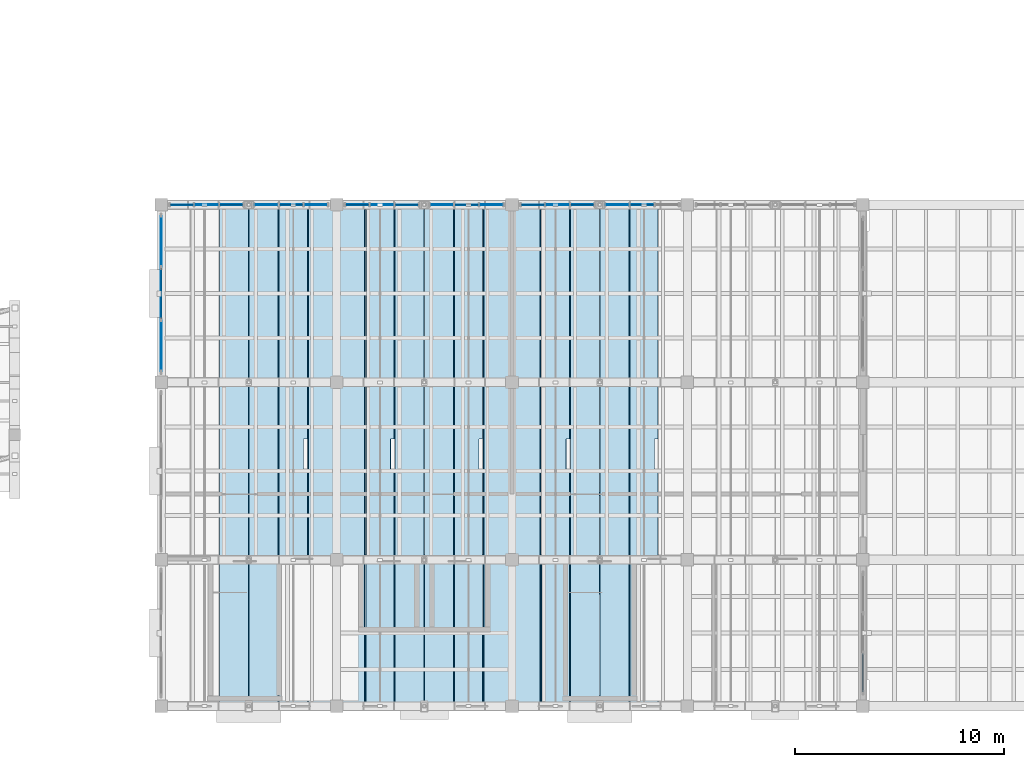
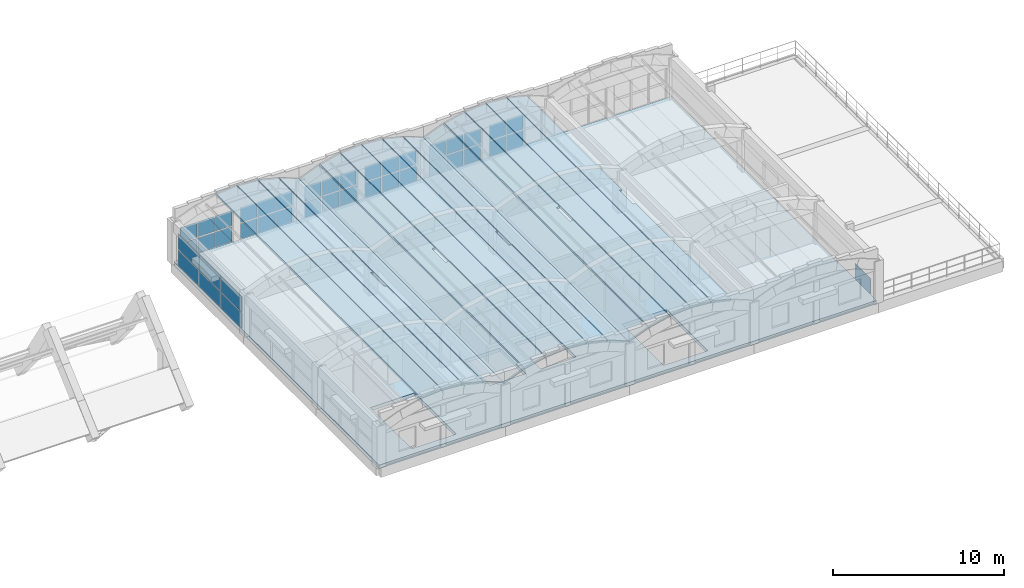
# One storey, part 21 of 40: 41 plates, 16 slabs, 8 elements without a shape of their own.
"""IFC4 building model written with IfcOpenShell, lengths in metres."""

from ifc_helpers import new_model, si_unit, direction, frame, origin, origin_2d, place, context, subcontext, project, spatial, polyline, rectangle, outline, extrude, material, layer, layer_set, type_object, element, aggregate, save


model = new_model("IFC4")

# Units and contexts
model_context = context("Model", 3, precision=1e-05, world=origin(), true_north=direction((0.0, 1.0)))
body_context = subcontext(model_context, "Body", "Model", "MODEL_VIEW")
ifc_project = project(units=[si_unit("LENGTHUNIT", "METRE"), si_unit("AREAUNIT", "SQUARE_METRE"), si_unit("VOLUMEUNIT", "CUBIC_METRE"), si_unit("PLANEANGLEUNIT", "RADIAN"), si_unit("MASSUNIT", "GRAM", prefix="KILO")], contexts=[model_context])

# Site, building, storey
site_placement = place(None, origin())
site = spatial("IfcSite", under=ifc_project, at=site_placement, CompositionType="ELEMENT")
building_placement = place(site_placement, origin())
building = spatial("IfcBuilding", under=site, at=building_placement, Name="Trellovar Central Fire Station", CompositionType="ELEMENT")
storey_placement = place(building_placement, frame((0.0, 0.0, 12.75)))
storey = spatial("IfcBuildingStorey", under=building, at=storey_placement, Name="L04", CompositionType="ELEMENT", Elevation=12.75)

# Curtain wall, plate
ifc_material_1 = material(Name="Thermally broken bronze anodized aluminum", Category="aluminium")
ifc_layer_1 = layer(ifc_material_1, 0.159912109375)
ifc_layer_set_1 = layer_set([ifc_layer_1], Name="Thermally broken bronze anodized aluminum")
curtain_wall_type_1 = type_object("IfcCurtainWallType", Name="CW-09", PredefinedType="NOTDEFINED", material=ifc_layer_set_1)
curtain_wall_1_placement = place(storey_placement, origin())
curtain_wall_1 = element("IfcCurtainWall", 1, at=curtain_wall_1_placement, inside=storey, type_object=curtain_wall_type_1, Name="L04 curtain wall CW-9", PredefinedType="NOTDEFINED")
ifc_material_2 = material(Name="Double low-E solar control insulated glazing", Category="glass")
ifc_layer_2 = layer(ifc_material_2, 0.031982421875)
ifc_layer_set_2 = layer_set([ifc_layer_2], Name="Double low-E solar control insulated glazing")
plate_type_1 = type_object("IfcPlateType", Name="CWP-GL1", PredefinedType="CURTAIN_PANEL", material=ifc_layer_set_2)
plate_1_placement = place(storey_placement, frame((112.908203125, 33.0, 1.18505859375), z_axis=(0.0, 0.0, 1.0), x_axis=(-1.0, 0.0, 0.0)))
plate_1 = element("IfcPlate", 2, at=plate_1_placement, type_object=plate_type_1, Name="CW3-L04-0091 panel 1-2", PredefinedType="CURTAIN_PANEL", context=body_context, shape_type="SweptSolid", body=[
    extrude(rectangle(XDim=1.103271484375, YDim=0.031982421875, at=origin_2d()), origin(), (0.0, 0.0, 1.0), 1.06494140625),
])

curtain_wall_2_placement = place(storey_placement, origin())
curtain_wall_2 = element("IfcCurtainWall", 3, at=curtain_wall_2_placement, inside=storey, type_object=curtain_wall_type_1, Name="L04 curtain wall CW-9", PredefinedType="NOTDEFINED")
plate_2_placement = place(storey_placement, frame((118.941650390625, 33.0, 1.18505859375), z_axis=(0.0, 0.0, 1.0), x_axis=(-1.0, 0.0, 0.0)))
plate_2 = element("IfcPlate", 4, at=plate_2_placement, type_object=plate_type_1, Name="CW3-L04-0093 panel 3-2", PredefinedType="CURTAIN_PANEL", context=body_context, shape_type="SweptSolid", body=[
    extrude(rectangle(XDim=1.103271484375, YDim=0.031982421875, at=origin_2d()), origin(), (0.0, 0.0, 1.0), 1.06494140625),
])

ifc_material_3 = material(Name="Thermally broken bronze anodized aluminum", Category="aluminium")
ifc_layer_3 = layer(ifc_material_3, 0.159912109375)
ifc_layer_set_3 = layer_set([ifc_layer_3], Name="Thermally broken bronze anodized aluminum")
curtain_wall_type_2 = type_object("IfcCurtainWallType", Name="CW-10", PredefinedType="NOTDEFINED", material=ifc_layer_set_3)
curtain_wall_3_placement = place(storey_placement, origin())
curtain_wall_3 = element("IfcCurtainWall", 5, at=curtain_wall_3_placement, inside=storey, type_object=curtain_wall_type_2, Name="L04 curtain wall CW-10", PredefinedType="NOTDEFINED")
plate_3_placement = place(storey_placement, frame((116.074951171875, 33.0, 1.18505859375), z_axis=(0.0, 0.0, 1.0), x_axis=(-1.0, 0.0, 0.0)))
plate_3 = element("IfcPlate", 6, at=plate_3_placement, type_object=plate_type_1, Name="CW3-L04-0094 panel 2-2", PredefinedType="CURTAIN_PANEL", context=body_context, shape_type="SweptSolid", body=[
    extrude(rectangle(XDim=1.103515625, YDim=0.031982421875, at=origin_2d()), origin(), (0.0, 0.0, 1.0), 1.06494140625),
])

ifc_material_4 = material(Name="Thermally broken bronze anodized aluminum", Category="aluminium")
ifc_layer_4 = layer(ifc_material_4, 0.159912109375)
ifc_layer_set_4 = layer_set([ifc_layer_4], Name="Thermally broken bronze anodized aluminum")
curtain_wall_type_3 = type_object("IfcCurtainWallType", Name="CW-12", PredefinedType="NOTDEFINED", material=ifc_layer_set_4)
curtain_wall_4_placement = place(storey_placement, origin())
curtain_wall_4 = element("IfcCurtainWall", 7, at=curtain_wall_4_placement, inside=storey, type_object=curtain_wall_type_3, Name="V5 L04 west courtyard curtain wall", PredefinedType="NOTDEFINED")
plate_4_placement = place(storey_placement, frame((105.5, 26.25, 1.2099609375), z_axis=(0.0, 0.0, 1.0), x_axis=(0.0, -1.0, 0.0)))
plate_4 = element("IfcPlate", 8, at=plate_4_placement, type_object=plate_type_1, Name="CW3-L04-0101 panel 3-2", PredefinedType="CURTAIN_PANEL", context=body_context, shape_type="SweptSolid", body=[
    extrude(rectangle(XDim=2.419921875, YDim=0.031982421875, at=origin_2d()), origin(), (0.0, 0.0, 1.0), 1.090087890625),
])

# Plate
ifc_material_5 = material(Name="Double low-E solar control insulated glazing", Category="glass")
ifc_layer_5 = layer(ifc_material_5, 0.035888671875)
ifc_layer_set_5 = layer_set([ifc_layer_5], Name="Double low-E solar control insulated glazing")
plate_type_2 = type_object("IfcPlateType", Name="CWP-GL2", PredefinedType="CURTAIN_PANEL", material=ifc_layer_set_5)
plate_5_placement = place(storey_placement, frame((111.72509765625, 33.0, 1.18505859375), z_axis=(0.0, 0.0, 1.0), x_axis=(-1.0, 0.0, 0.0)))
plate_5 = element("IfcPlate", 9, at=plate_5_placement, type_object=plate_type_2, Name="CW3-L04-0091 panel 2-2", PredefinedType="CURTAIN_PANEL", context=body_context, shape_type="SweptSolid", body=[
    extrude(rectangle(XDim=1.103515625, YDim=0.035888671875, at=origin_2d()), origin(), (0.0, 0.0, 1.0), 1.06494140625),
])

# Curtain wall, plate
curtain_wall_5_placement = place(storey_placement, origin())
curtain_wall_5 = element("IfcCurtainWall", 10, at=curtain_wall_5_placement, inside=storey, type_object=curtain_wall_type_2, Name="L04 curtain wall CW-10", PredefinedType="NOTDEFINED")
plate_6_placement = place(storey_placement, frame((108.8583984375, 33.0, 1.18505859375), z_axis=(0.0, 0.0, 1.0), x_axis=(-1.0, 0.0, 0.0)))
plate_6 = element("IfcPlate", 11, at=plate_6_placement, type_object=plate_type_2, Name="CW3-L04-0092 panel 1-2", PredefinedType="CURTAIN_PANEL", context=body_context, shape_type="SweptSolid", body=[
    extrude(rectangle(XDim=1.103271484375, YDim=0.035888671875, at=origin_2d()), origin(), (0.0, 0.0, 1.0), 1.06494140625),
])

# Plate
plate_7_placement = place(storey_placement, frame((114.8916015625, 33.0, 1.18505859375), z_axis=(0.0, 0.0, 1.0), x_axis=(-1.0, 0.0, 0.0)))
plate_7 = element("IfcPlate", 12, at=plate_7_placement, type_object=plate_type_2, Name="CW3-L04-0094 panel 3-2", PredefinedType="CURTAIN_PANEL", context=body_context, shape_type="SweptSolid", body=[
    extrude(rectangle(XDim=1.103271484375, YDim=0.035888671875, at=origin_2d()), origin(), (0.0, 0.0, 1.0), 1.06494140625),
])

# Curtain wall, plate
curtain_wall_6_placement = place(storey_placement, origin())
curtain_wall_6 = element("IfcCurtainWall", 13, at=curtain_wall_6_placement, inside=storey, type_object=curtain_wall_type_1, Name="L04 curtain wall CW-9", PredefinedType="NOTDEFINED")
plate_8_placement = place(storey_placement, frame((128.52490234375, 33.0, 1.18505859375), z_axis=(0.0, 0.0, 1.0), x_axis=(-1.0, 0.0, 0.0)))
plate_8 = element("IfcPlate", 14, at=plate_8_placement, type_object=plate_type_2, Name="CW3-L04-0095 panel 2-2", PredefinedType="CURTAIN_PANEL", context=body_context, shape_type="SweptSolid", body=[
    extrude(rectangle(XDim=1.103515625, YDim=0.035888671875, at=origin_2d()), origin(), (0.0, 0.0, 1.0), 1.06494140625),
])

curtain_wall_7_placement = place(storey_placement, origin())
curtain_wall_7 = element("IfcCurtainWall", 15, at=curtain_wall_7_placement, inside=storey, type_object=curtain_wall_type_2, Name="L04 curtain wall CW-10", PredefinedType="NOTDEFINED")
plate_9_placement = place(storey_placement, frame((125.658203125, 33.0, 1.18505859375), z_axis=(0.0, 0.0, 1.0), x_axis=(-1.0, 0.0, 0.0)))
plate_9 = element("IfcPlate", 16, at=plate_9_placement, type_object=plate_type_2, Name="CW3-L04-0096 panel 1-2", PredefinedType="CURTAIN_PANEL", context=body_context, shape_type="SweptSolid", body=[
    extrude(rectangle(XDim=1.103271484375, YDim=0.035888671875, at=origin_2d()), origin(), (0.0, 0.0, 1.0), 1.06494140625),
])

# Plate
ifc_material_6 = material(Name="Double low-E solar control insulated glazing", Category="glass")
ifc_layer_6 = layer(ifc_material_6, 0.033935546875)
ifc_layer_set_6 = layer_set([ifc_layer_6], Name="Double low-E solar control insulated glazing")
plate_type_3 = type_object("IfcPlateType", Name="CWP-GL3", PredefinedType="CURTAIN_PANEL", material=ifc_layer_set_6)
plate_10_placement = place(storey_placement, frame((110.541748046875, 33.0, 1.18505859375), z_axis=(0.0, 0.0, 1.0), x_axis=(-1.0, 0.0, 0.0)))
plate_10 = element("IfcPlate", 17, at=plate_10_placement, type_object=plate_type_3, Name="CW3-L04-0091 panel 3-2", PredefinedType="CURTAIN_PANEL", context=body_context, shape_type="SweptSolid", body=[
    extrude(rectangle(XDim=1.103271484375, YDim=0.033935546875, at=origin_2d()), origin(), (0.0, 0.0, 1.0), 1.06494140625),
])

plate_11_placement = place(storey_placement, frame((107.675048828125, 33.0, 1.18505859375), z_axis=(0.0, 0.0, 1.0), x_axis=(-1.0, 0.0, 0.0)))
plate_11 = element("IfcPlate", 18, at=plate_11_placement, type_object=plate_type_3, Name="CW3-L04-0092 panel 2-2", PredefinedType="CURTAIN_PANEL", context=body_context, shape_type="SweptSolid", body=[
    extrude(rectangle(XDim=1.103515625, YDim=0.033935546875, at=origin_2d()), origin(), (0.0, 0.0, 1.0), 1.06494140625),
])

plate_12_placement = place(storey_placement, frame((121.308349609375, 33.0, 1.18505859375), z_axis=(0.0, 0.0, 1.0), x_axis=(-1.0, 0.0, 0.0)))
plate_12 = element("IfcPlate", 19, at=plate_12_placement, type_object=plate_type_3, Name="CW3-L04-0093 panel 1-2", PredefinedType="CURTAIN_PANEL", context=body_context, shape_type="SweptSolid", body=[
    extrude(rectangle(XDim=1.103271484375, YDim=0.033935546875, at=origin_2d()), origin(), (0.0, 0.0, 1.0), 1.06494140625),
])

plate_13_placement = place(storey_placement, frame((127.341552734375, 33.0, 1.18505859375), z_axis=(0.0, 0.0, 1.0), x_axis=(-1.0, 0.0, 0.0)))
plate_13 = element("IfcPlate", 20, at=plate_13_placement, type_object=plate_type_3, Name="CW3-L04-0095 panel 3-2", PredefinedType="CURTAIN_PANEL", context=body_context, shape_type="SweptSolid", body=[
    extrude(rectangle(XDim=1.103271484375, YDim=0.033935546875, at=origin_2d()), origin(), (0.0, 0.0, 1.0), 1.06494140625),
])

plate_14_placement = place(storey_placement, frame((124.47509765625, 33.0, 1.18505859375), z_axis=(0.0, 0.0, 1.0), x_axis=(-1.0, 0.0, 0.0)))
plate_14 = element("IfcPlate", 21, at=plate_14_placement, type_object=plate_type_3, Name="CW3-L04-0096 panel 2-2", PredefinedType="CURTAIN_PANEL", context=body_context, shape_type="SweptSolid", body=[
    extrude(rectangle(XDim=1.103515625, YDim=0.033935546875, at=origin_2d()), origin(), (0.0, 0.0, 1.0), 1.06494140625),
])

plate_15_placement = place(storey_placement, frame((105.5, 31.25, 1.2099609375), z_axis=(0.0, 0.0, 1.0), x_axis=(0.0, -1.0, 0.0)))
plate_15 = element("IfcPlate", 22, at=plate_15_placement, type_object=plate_type_3, Name="CW3-L04-0101 panel 1-2", PredefinedType="CURTAIN_PANEL", context=body_context, shape_type="SweptSolid", body=[
    extrude(rectangle(XDim=2.419921875, YDim=0.033935546875, at=origin_2d()), origin(), (0.0, 0.0, 1.0), 1.090087890625),
])

ifc_material_7 = material(Name="Double low-E solar control insulated glazing", Category="glass")
ifc_layer_7 = layer(ifc_material_7, 0.030029296875)
ifc_layer_set_7 = layer_set([ifc_layer_7], Name="Double low-E solar control insulated glazing")
plate_type_4 = type_object("IfcPlateType", Name="CWP-GL4", PredefinedType="CURTAIN_PANEL", material=ifc_layer_set_7)
plate_16_placement = place(storey_placement, frame((106.49169921875, 33.0, 1.18505859375), z_axis=(0.0, 0.0, 1.0), x_axis=(-1.0, 0.0, 0.0)))
plate_16 = element("IfcPlate", 23, at=plate_16_placement, type_object=plate_type_4, Name="CW3-L04-0092 panel 3-2", PredefinedType="CURTAIN_PANEL", context=body_context, shape_type="SweptSolid", body=[
    extrude(rectangle(XDim=1.103271484375, YDim=0.030029296875, at=origin_2d()), origin(), (0.0, 0.0, 1.0), 1.06494140625),
])

plate_17_placement = place(storey_placement, frame((120.125, 33.0, 1.18505859375), z_axis=(0.0, 0.0, 1.0), x_axis=(-1.0, 0.0, 0.0)))
plate_17 = element("IfcPlate", 24, at=plate_17_placement, type_object=plate_type_4, Name="CW3-L04-0093 panel 2-2", PredefinedType="CURTAIN_PANEL", context=body_context, shape_type="SweptSolid", body=[
    extrude(rectangle(XDim=1.103515625, YDim=0.030029296875, at=origin_2d()), origin(), (0.0, 0.0, 1.0), 1.06494140625),
])

plate_18_placement = place(storey_placement, frame((117.25830078125, 33.0, 1.18505859375), z_axis=(0.0, 0.0, 1.0), x_axis=(-1.0, 0.0, 0.0)))
plate_18 = element("IfcPlate", 25, at=plate_18_placement, type_object=plate_type_4, Name="CW3-L04-0094 panel 1-2", PredefinedType="CURTAIN_PANEL", context=body_context, shape_type="SweptSolid", body=[
    extrude(rectangle(XDim=1.103271484375, YDim=0.030029296875, at=origin_2d()), origin(), (0.0, 0.0, 1.0), 1.06494140625),
])

plate_19_placement = place(storey_placement, frame((123.291748046875, 33.0, 1.18505859375), z_axis=(0.0, 0.0, 1.0), x_axis=(-1.0, 0.0, 0.0)))
plate_19 = element("IfcPlate", 26, at=plate_19_placement, type_object=plate_type_4, Name="CW3-L04-0096 panel 3-2", PredefinedType="CURTAIN_PANEL", context=body_context, shape_type="SweptSolid", body=[
    extrude(rectangle(XDim=1.103271484375, YDim=0.030029296875, at=origin_2d()), origin(), (0.0, 0.0, 1.0), 1.06494140625),
])

plate_20_placement = place(storey_placement, frame((105.5, 28.75, 1.2099609375), z_axis=(0.0, 0.0, 1.0), x_axis=(0.0, -1.0, 0.0)))
plate_20 = element("IfcPlate", 27, at=plate_20_placement, type_object=plate_type_4, Name="CW3-L04-0101 panel 2-2", PredefinedType="CURTAIN_PANEL", context=body_context, shape_type="SweptSolid", body=[
    extrude(rectangle(XDim=2.419921875, YDim=0.030029296875, at=origin_2d()), origin(), (0.0, 0.0, 1.0), 1.090087890625),
])

ifc_material_8 = material(Name="Glazed ceramic trencadis and terracotta panel", Category="masonry")
ifc_layer_8 = layer(ifc_material_8, 0.048095703125)
ifc_layer_set_8 = layer_set([ifc_layer_8], Name="Glazed ceramic trencadis and terracotta panel")
plate_type_5 = type_object("IfcPlateType", Name="CWP-SP1", PredefinedType="CURTAIN_PANEL", material=ifc_layer_set_8)
plate_21_placement = place(storey_placement, frame((111.72509765625, 33.0, 0.0400390625), z_axis=(0.0, 0.0, 1.0), x_axis=(-1.0, 0.0, 0.0)))
plate_21 = element("IfcPlate", 28, at=plate_21_placement, type_object=plate_type_5, Name="CW3-L04-0091 panel 2-1", PredefinedType="CURTAIN_PANEL", context=body_context, shape_type="SweptSolid", body=[
    extrude(rectangle(XDim=1.103515625, YDim=0.048095703125, at=origin_2d()), origin(), (0.0, 0.0, 1.0), 1.06494140625),
])

plate_22_placement = place(storey_placement, frame((108.8583984375, 33.0, 0.0400390625), z_axis=(0.0, 0.0, 1.0), x_axis=(-1.0, 0.0, 0.0)))
plate_22 = element("IfcPlate", 29, at=plate_22_placement, type_object=plate_type_5, Name="CW3-L04-0092 panel 1-1", PredefinedType="CURTAIN_PANEL", context=body_context, shape_type="SweptSolid", body=[
    extrude(rectangle(XDim=1.103271484375, YDim=0.048095703125, at=origin_2d()), origin(), (0.0, 0.0, 1.0), 1.06494140625),
])

plate_23_placement = place(storey_placement, frame((106.49169921875, 33.0, 0.0400390625), z_axis=(0.0, 0.0, 1.0), x_axis=(-1.0, 0.0, 0.0)))
plate_23 = element("IfcPlate", 30, at=plate_23_placement, type_object=plate_type_5, Name="CW3-L04-0092 panel 3-1", PredefinedType="CURTAIN_PANEL", context=body_context, shape_type="SweptSolid", body=[
    extrude(rectangle(XDim=1.103271484375, YDim=0.048095703125, at=origin_2d()), origin(), (0.0, 0.0, 1.0), 1.06494140625),
])

plate_24_placement = place(storey_placement, frame((120.125, 33.0, 0.0400390625), z_axis=(0.0, 0.0, 1.0), x_axis=(-1.0, 0.0, 0.0)))
plate_24 = element("IfcPlate", 31, at=plate_24_placement, type_object=plate_type_5, Name="CW3-L04-0093 panel 2-1", PredefinedType="CURTAIN_PANEL", context=body_context, shape_type="SweptSolid", body=[
    extrude(rectangle(XDim=1.103515625, YDim=0.048095703125, at=origin_2d()), origin(), (0.0, 0.0, 1.0), 1.06494140625),
])

plate_25_placement = place(storey_placement, frame((117.25830078125, 33.0, 0.0400390625), z_axis=(0.0, 0.0, 1.0), x_axis=(-1.0, 0.0, 0.0)))
plate_25 = element("IfcPlate", 32, at=plate_25_placement, type_object=plate_type_5, Name="CW3-L04-0094 panel 1-1", PredefinedType="CURTAIN_PANEL", context=body_context, shape_type="SweptSolid", body=[
    extrude(rectangle(XDim=1.103271484375, YDim=0.048095703125, at=origin_2d()), origin(), (0.0, 0.0, 1.0), 1.06494140625),
])

plate_26_placement = place(storey_placement, frame((114.8916015625, 33.0, 0.0400390625), z_axis=(0.0, 0.0, 1.0), x_axis=(-1.0, 0.0, 0.0)))
plate_26 = element("IfcPlate", 33, at=plate_26_placement, type_object=plate_type_5, Name="CW3-L04-0094 panel 3-1", PredefinedType="CURTAIN_PANEL", context=body_context, shape_type="SweptSolid", body=[
    extrude(rectangle(XDim=1.103271484375, YDim=0.048095703125, at=origin_2d()), origin(), (0.0, 0.0, 1.0), 1.06494140625),
])

plate_27_placement = place(storey_placement, frame((128.52490234375, 33.0, 0.0400390625), z_axis=(0.0, 0.0, 1.0), x_axis=(-1.0, 0.0, 0.0)))
plate_27 = element("IfcPlate", 34, at=plate_27_placement, type_object=plate_type_5, Name="CW3-L04-0095 panel 2-1", PredefinedType="CURTAIN_PANEL", context=body_context, shape_type="SweptSolid", body=[
    extrude(rectangle(XDim=1.103515625, YDim=0.048095703125, at=origin_2d()), origin(), (0.0, 0.0, 1.0), 1.06494140625),
])

plate_28_placement = place(storey_placement, frame((125.658203125, 33.0, 0.0400390625), z_axis=(0.0, 0.0, 1.0), x_axis=(-1.0, 0.0, 0.0)))
plate_28 = element("IfcPlate", 35, at=plate_28_placement, type_object=plate_type_5, Name="CW3-L04-0096 panel 1-1", PredefinedType="CURTAIN_PANEL", context=body_context, shape_type="SweptSolid", body=[
    extrude(rectangle(XDim=1.103271484375, YDim=0.048095703125, at=origin_2d()), origin(), (0.0, 0.0, 1.0), 1.06494140625),
])

plate_29_placement = place(storey_placement, frame((123.291748046875, 33.0, 0.0400390625), z_axis=(0.0, 0.0, 1.0), x_axis=(-1.0, 0.0, 0.0)))
plate_29 = element("IfcPlate", 36, at=plate_29_placement, type_object=plate_type_5, Name="CW3-L04-0096 panel 3-1", PredefinedType="CURTAIN_PANEL", context=body_context, shape_type="SweptSolid", body=[
    extrude(rectangle(XDim=1.103271484375, YDim=0.048095703125, at=origin_2d()), origin(), (0.0, 0.0, 1.0), 1.06494140625),
])

plate_30_placement = place(storey_placement, frame((105.5, 28.75, 0.0400390625), z_axis=(0.0, 0.0, 1.0), x_axis=(0.0, -1.0, 0.0)))
plate_30 = element("IfcPlate", 37, at=plate_30_placement, type_object=plate_type_5, Name="CW3-L04-0101 panel 2-1", PredefinedType="CURTAIN_PANEL", context=body_context, shape_type="SweptSolid", body=[
    extrude(rectangle(XDim=2.419921875, YDim=0.048095703125, at=origin_2d()), origin(), (0.0, 0.0, 1.0), 1.090087890625),
])

# Curtain wall, plate
ifc_material_9 = material(Name="Thermally broken bronze anodized aluminum", Category="aluminium")
ifc_layer_9 = layer(ifc_material_9, 0.159912109375)
ifc_layer_set_9 = layer_set([ifc_layer_9], Name="Thermally broken bronze anodized aluminum")
curtain_wall_type_4 = type_object("IfcCurtainWallType", Name="CW-01", PredefinedType="NOTDEFINED", material=ifc_layer_set_9)
curtain_wall_8_placement = place(storey_placement, origin())
curtain_wall_8 = element("IfcCurtainWall", 38, at=curtain_wall_8_placement, inside=storey, type_object=curtain_wall_type_4, Name="L04 curtain wall CW-1", PredefinedType="NOTDEFINED")
plate_31_placement = place(storey_placement, frame((139.10009765625, 10.60009765625, 0.0400390625), z_axis=(0.0, 0.0, 1.0), x_axis=(0.0, 1.0, 0.0)))
plate_31 = element("IfcPlate", 39, at=plate_31_placement, type_object=plate_type_5, Name="CW3-L04-0102 panel 1-1", PredefinedType="CURTAIN_PANEL", context=body_context, shape_type="SweptSolid", body=[
    extrude(rectangle(XDim=1.820068359375, YDim=0.048095703125, at=origin_2d()), origin(), (0.0, 0.0, 1.0), 1.090087890625),
])
aggregate(curtain_wall_8, [plate_31])

# Plate
ifc_material_10 = material(Name="Glazed ceramic trencadis and terracotta panel", Category="masonry")
ifc_layer_10 = layer(ifc_material_10, 0.044921875)
ifc_layer_set_10 = layer_set([ifc_layer_10], Name="Glazed ceramic trencadis and terracotta panel")
plate_type_6 = type_object("IfcPlateType", Name="CWP-SP2", PredefinedType="CURTAIN_PANEL", material=ifc_layer_set_10)
plate_32_placement = place(storey_placement, frame((112.908203125, 33.0, 0.0400390625), z_axis=(0.0, 0.0, 1.0), x_axis=(-1.0, 0.0, 0.0)))
plate_32 = element("IfcPlate", 40, at=plate_32_placement, type_object=plate_type_6, Name="CW3-L04-0091 panel 1-1", PredefinedType="CURTAIN_PANEL", context=body_context, shape_type="SweptSolid", body=[
    extrude(rectangle(XDim=1.103271484375, YDim=0.044921875, at=origin_2d()), origin(), (0.0, 0.0, 1.0), 1.06494140625),
])

plate_33_placement = place(storey_placement, frame((110.541748046875, 33.0, 0.0400390625), z_axis=(0.0, 0.0, 1.0), x_axis=(-1.0, 0.0, 0.0)))
plate_33 = element("IfcPlate", 41, at=plate_33_placement, type_object=plate_type_6, Name="CW3-L04-0091 panel 3-1", PredefinedType="CURTAIN_PANEL", context=body_context, shape_type="SweptSolid", body=[
    extrude(rectangle(XDim=1.103271484375, YDim=0.044921875, at=origin_2d()), origin(), (0.0, 0.0, 1.0), 1.06494140625),
])

aggregate(curtain_wall_1, [plate_32, plate_1, plate_21, plate_5, plate_33, plate_10])

plate_34_placement = place(storey_placement, frame((107.675048828125, 33.0, 0.0400390625), z_axis=(0.0, 0.0, 1.0), x_axis=(-1.0, 0.0, 0.0)))
plate_34 = element("IfcPlate", 42, at=plate_34_placement, type_object=plate_type_6, Name="CW3-L04-0092 panel 2-1", PredefinedType="CURTAIN_PANEL", context=body_context, shape_type="SweptSolid", body=[
    extrude(rectangle(XDim=1.103515625, YDim=0.044921875, at=origin_2d()), origin(), (0.0, 0.0, 1.0), 1.06494140625),
])

aggregate(curtain_wall_5, [plate_22, plate_6, plate_34, plate_11, plate_23, plate_16])

plate_35_placement = place(storey_placement, frame((121.308349609375, 33.0, 0.0400390625), z_axis=(0.0, 0.0, 1.0), x_axis=(-1.0, 0.0, 0.0)))
plate_35 = element("IfcPlate", 43, at=plate_35_placement, type_object=plate_type_6, Name="CW3-L04-0093 panel 1-1", PredefinedType="CURTAIN_PANEL", context=body_context, shape_type="SweptSolid", body=[
    extrude(rectangle(XDim=1.103271484375, YDim=0.044921875, at=origin_2d()), origin(), (0.0, 0.0, 1.0), 1.06494140625),
])

plate_36_placement = place(storey_placement, frame((118.941650390625, 33.0, 0.0400390625), z_axis=(0.0, 0.0, 1.0), x_axis=(-1.0, 0.0, 0.0)))
plate_36 = element("IfcPlate", 44, at=plate_36_placement, type_object=plate_type_6, Name="CW3-L04-0093 panel 3-1", PredefinedType="CURTAIN_PANEL", context=body_context, shape_type="SweptSolid", body=[
    extrude(rectangle(XDim=1.103271484375, YDim=0.044921875, at=origin_2d()), origin(), (0.0, 0.0, 1.0), 1.06494140625),
])

aggregate(curtain_wall_2, [plate_35, plate_12, plate_24, plate_17, plate_36, plate_2])

plate_37_placement = place(storey_placement, frame((116.074951171875, 33.0, 0.0400390625), z_axis=(0.0, 0.0, 1.0), x_axis=(-1.0, 0.0, 0.0)))
plate_37 = element("IfcPlate", 45, at=plate_37_placement, type_object=plate_type_6, Name="CW3-L04-0094 panel 2-1", PredefinedType="CURTAIN_PANEL", context=body_context, shape_type="SweptSolid", body=[
    extrude(rectangle(XDim=1.103515625, YDim=0.044921875, at=origin_2d()), origin(), (0.0, 0.0, 1.0), 1.06494140625),
])

aggregate(curtain_wall_3, [plate_25, plate_18, plate_37, plate_3, plate_26, plate_7])

plate_38_placement = place(storey_placement, frame((127.341552734375, 33.0, 0.0400390625), z_axis=(0.0, 0.0, 1.0), x_axis=(-1.0, 0.0, 0.0)))
plate_38 = element("IfcPlate", 46, at=plate_38_placement, type_object=plate_type_6, Name="CW3-L04-0095 panel 3-1", PredefinedType="CURTAIN_PANEL", context=body_context, shape_type="SweptSolid", body=[
    extrude(rectangle(XDim=1.103271484375, YDim=0.044921875, at=origin_2d()), origin(), (0.0, 0.0, 1.0), 1.06494140625),
])

aggregate(curtain_wall_6, [plate_27, plate_8, plate_38, plate_13])

plate_39_placement = place(storey_placement, frame((124.47509765625, 33.0, 0.0400390625), z_axis=(0.0, 0.0, 1.0), x_axis=(-1.0, 0.0, 0.0)))
plate_39 = element("IfcPlate", 47, at=plate_39_placement, type_object=plate_type_6, Name="CW3-L04-0096 panel 2-1", PredefinedType="CURTAIN_PANEL", context=body_context, shape_type="SweptSolid", body=[
    extrude(rectangle(XDim=1.103515625, YDim=0.044921875, at=origin_2d()), origin(), (0.0, 0.0, 1.0), 1.06494140625),
])

aggregate(curtain_wall_7, [plate_28, plate_9, plate_39, plate_14, plate_29, plate_19])

plate_40_placement = place(storey_placement, frame((105.5, 31.25, 0.0400390625), z_axis=(0.0, 0.0, 1.0), x_axis=(0.0, -1.0, 0.0)))
plate_40 = element("IfcPlate", 48, at=plate_40_placement, type_object=plate_type_6, Name="CW3-L04-0101 panel 1-1", PredefinedType="CURTAIN_PANEL", context=body_context, shape_type="SweptSolid", body=[
    extrude(rectangle(XDim=2.419921875, YDim=0.044921875, at=origin_2d()), origin(), (0.0, 0.0, 1.0), 1.090087890625),
])

plate_41_placement = place(storey_placement, frame((105.5, 26.25, 0.0400390625), z_axis=(0.0, 0.0, 1.0), x_axis=(0.0, -1.0, 0.0)))
plate_41 = element("IfcPlate", 49, at=plate_41_placement, type_object=plate_type_6, Name="CW3-L04-0101 panel 3-1", PredefinedType="CURTAIN_PANEL", context=body_context, shape_type="SweptSolid", body=[
    extrude(rectangle(XDim=2.419921875, YDim=0.044921875, at=origin_2d()), origin(), (0.0, 0.0, 1.0), 1.090087890625),
])

aggregate(curtain_wall_4, [plate_40, plate_15, plate_30, plate_20, plate_41, plate_4])

# Slabs
ifc_material_11 = material(Name="Concrete C40/50", Category="concrete")
ifc_layer_11 = layer(ifc_material_11, 0.25)
ifc_layer_set_11 = layer_set([ifc_layer_11], Name="Concrete C40/50")
slab_type_1 = type_object("IfcSlabType", Name="SLB-FL250", PredefinedType="FLOOR", material=ifc_layer_set_11)
slab_1_placement = place(storey_placement, frame((0.0, 0.0, -0.25)))
element("IfcSlab", 50, at=slab_1_placement, inside=storey, type_object=slab_type_1, Name="V5 L04 structural floor slab", PredefinedType="FLOOR", context=body_context, shape_type="SweptSolid", body=[
    extrude(outline(polyline([(105.5, 9.0), (139.10009765625, 9.0), (139.10009765625, 33.0), (105.5, 33.0), (105.5, 9.0)]), holes=[polyline([(108.0, 14.340087890625), (108.0, 9.5), (111.0, 9.5), (111.0, 14.340087890625), (108.0, 14.340087890625)]), polyline([(125.0, 14.340087890625), (125.0, 9.5), (128.0, 9.5), (128.0, 14.340087890625), (125.0, 14.340087890625)]), polyline([(115.199951171875, 12.800048828125), (117.60009765625, 12.800048828125), (117.60009765625, 15.800048828125), (115.199951171875, 15.800048828125), (115.199951171875, 12.800048828125)]), polyline([(118.60009765625, 12.800048828125), (121.0, 12.800048828125), (121.0, 15.800048828125), (118.60009765625, 15.800048828125), (118.60009765625, 12.800048828125)])]), origin(), (0.0, 0.0, 1.0), 0.25),
])
ifc_material_12 = material(Name="Concrete C40/50", Category="concrete")
ifc_layer_12 = layer(ifc_material_12, 0.169921875)
ifc_layer_set_12 = layer_set([ifc_layer_12], Name="Concrete C40/50")
slab_type_2 = type_object("IfcSlabType", Name="SLB-VLT170", PredefinedType="ROOF", material=ifc_layer_set_12)
for number, where, z_axis, x_axis, name in (
    (51, (108.302001953125, 9.0, 3.88916015625), (-0.079038553843, 0.0, 0.996871559935), (0.996871559935, 0.0, 0.079038553843), "V5 Catalan barrel vault slab 01-03"),
    (52, (109.71533203125, 9.0, 3.998779296875), (0.079038553843, 0.0, 0.996871559935), (0.996871559935, 0.0, -0.079038553843), "V5 Catalan barrel vault slab 01-04"),
):
    element("IfcSlab", number, at=place(storey_placement, frame(where, z_axis=z_axis, x_axis=x_axis)), inside=storey, type_object=slab_type_2, Name=name, PredefinedType="ROOF", context=body_context, shape_type="SweptSolid", body=[
        extrude(outline(polyline([(0.0, 0.0), (1.3869072154748645, 0.0), (1.3869072154748645, 23.999999999999996), (0.0, 23.999999999999996), (0.0, 0.0)])), origin(), (0.0, 0.0, -1.0), 0.169921875),
    ])
slab_2_placement = place(storey_placement, frame((111.141357421875, 9.0, 3.879150390625), z_axis=(0.231598771273, 0.0, 0.972811394436), x_axis=(0.972811394436, 0.0, -0.231598771273)))
element("IfcSlab", 53, at=slab_2_placement, inside=storey, type_object=slab_type_2, Name="V5 Catalan barrel vault slab 01-05", PredefinedType="ROOF", context=body_context, shape_type="SweptSolid", body=[
    extrude(outline(polyline([(0.0, 0.0), (1.3946089094911989, 0.0), (1.3946089094911989, 11.199951171875), (1.209617849568469, 11.199951171875), (1.209617849568469, 12.800048828125), (1.3946089094911989, 12.800048828125), (1.3946089094911989, 24.0), (0.0, 24.0), (0.0, 0.0)])), origin(), (0.0, 0.0, -1.0), 0.169921875),
])
for number, where, z_axis, x_axis, name in (
    (54, (112.564697265625, 9.0, 3.52978515625), (0.368836183786, 0.0, 0.929494416084), (0.929494416084, 0.0, -0.368836183786), "V5 Catalan barrel vault slab 01-06"),
    (55, (113.902099609375, 9.0, 3.000732421875), (-0.368836183786, 0.0, 0.929494416084), (0.929494416084, 0.0, 0.368836183786), "V5 Catalan barrel vault slab 02-01"),
):
    element("IfcSlab", number, at=place(storey_placement, frame(where, z_axis=z_axis, x_axis=x_axis)), inside=storey, type_object=slab_type_2, Name=name, PredefinedType="ROOF", context=body_context, shape_type="SweptSolid", body=[
        extrude(outline(polyline([(0.0, 0.0), (1.4343840372303687, 0.0), (1.4343840372303687, 24.0), (0.0, 24.0), (0.0, 0.0)])), origin(), (0.0, 0.0, -1.0), 0.169921875),
    ])
slab_3_placement = place(storey_placement, frame((115.302001953125, 9.0, 3.55615234375), z_axis=(-0.231601424354, 0.0, 0.972810762809), x_axis=(0.972810762809, 0.0, 0.231601424354)))
element("IfcSlab", 56, at=slab_3_placement, inside=storey, type_object=slab_type_2, Name="V5 Catalan barrel vault slab 02-02", PredefinedType="ROOF", context=body_context, shape_type="SweptSolid", body=[
    extrude(outline(polyline([(0.0, 0.0), (1.394608909509385, 0.0), (1.394608909509385, 11.199951171875002), (1.2093803466091384, 11.199951171875002), (1.2093803466091384, 12.800048828125004), (1.394608909509385, 12.800048828125004), (1.394608909509385, 24.000000000000007), (0.0, 24.000000000000007), (0.0, 0.0)])), origin(), (0.0, 0.0, -1.0), 0.169921875),
])
slab_4_placement = place(storey_placement, frame((116.701904296875, 9.0, 3.88916015625), z_axis=(-0.079024686448, 0.0, 0.996872659336), x_axis=(0.996872659336, 0.0, 0.079024686448)))
element("IfcSlab", 57, at=slab_4_placement, inside=storey, type_object=slab_type_2, Name="V5 Catalan barrel vault slab 02-03", PredefinedType="ROOF", context=body_context, shape_type="SweptSolid", body=[
    extrude(outline(polyline([(0.0, 0.0), (1.3871505924547678, 0.0), (1.3871505924547678, 24.0), (0.0, 24.0), (0.0, 0.0)])), origin(), (0.0, 0.0, -1.0), 0.169921875),
])
slab_5_placement = place(storey_placement, frame((118.115478515625, 9.0, 3.998779296875), z_axis=(0.079038553843, 0.0, 0.996871559935), x_axis=(0.996871559935, 0.0, -0.079038553843)))
element("IfcSlab", 58, at=slab_5_placement, inside=storey, type_object=slab_type_2, Name="V5 Catalan barrel vault slab 02-04", PredefinedType="ROOF", context=body_context, shape_type="SweptSolid", body=[
    extrude(outline(polyline([(0.0, 0.0), (1.3869072154748645, 0.0), (1.3869072154748645, 23.999999999999996), (0.0, 23.999999999999996), (0.0, 0.0)])), origin(), (0.0, 0.0, -1.0), 0.169921875),
])
slab_6_placement = place(storey_placement, frame((119.54150390625, 9.0, 3.879150390625), z_axis=(0.231638571255, 0.0, 0.97280191833), x_axis=(0.97280191833, 0.0, -0.231638571255)))
element("IfcSlab", 59, at=slab_6_placement, inside=storey, type_object=slab_type_2, Name="V5 Catalan barrel vault slab 02-05", PredefinedType="ROOF", context=body_context, shape_type="SweptSolid", body=[
    extrude(outline(polyline([(0.0, 0.0), (1.3943714082063057, 0.0), (1.3943714082063057, 11.199951171874998), (1.20938034317939, 11.199951171874998), (1.20938034317939, 12.800048828124998), (1.3943714082063057, 12.800048828124998), (1.3943714082063057, 23.999999999999996), (0.0, 23.999999999999996), (0.0, 0.0)])), origin(), (0.0, 0.0, -1.0), 0.169921875),
])
slab_7_placement = place(storey_placement, frame((120.964599609375, 9.0, 3.52978515625), z_axis=(0.368777840401, 0.0, 0.929517565423), x_axis=(0.929517565423, 0.0, -0.368777840401)))
element("IfcSlab", 60, at=slab_7_placement, inside=storey, type_object=slab_type_2, Name="V5 Catalan barrel vault slab 02-06", PredefinedType="ROOF", context=body_context, shape_type="SweptSolid", body=[
    extrude(outline(polyline([(0.0, 0.0), (1.4346109674041159, 0.0), (1.4346109674041159, 24.0), (0.0, 24.0), (0.0, 0.0)])), origin(), (0.0, 0.0, -1.0), 0.169921875),
])
slab_8_placement = place(storey_placement, frame((122.302001953125, 9.0, 3.000732421875), z_axis=(-0.368836183786, 0.0, 0.929494416084), x_axis=(0.929494416084, 0.0, 0.368836183786)))
element("IfcSlab", 61, at=slab_8_placement, inside=storey, type_object=slab_type_2, Name="V5 Catalan barrel vault slab 03-01", PredefinedType="ROOF", context=body_context, shape_type="SweptSolid", body=[
    extrude(outline(polyline([(0.0, 0.0), (1.4343840372303687, 0.0), (1.4343840372303687, 24.0), (0.0, 24.0), (0.0, 0.0)])), origin(), (0.0, 0.0, -1.0), 0.169921875),
])
slab_9_placement = place(storey_placement, frame((123.701904296875, 9.0, 3.55615234375), z_axis=(-0.231598771273, 0.0, 0.972811394436), x_axis=(0.972811394436, 0.0, 0.231598771273)))
element("IfcSlab", 62, at=slab_9_placement, inside=storey, type_object=slab_type_2, Name="V5 Catalan barrel vault slab 03-02", PredefinedType="ROOF", context=body_context, shape_type="SweptSolid", body=[
    extrude(outline(polyline([(0.0, 0.0), (1.3946089094911989, 0.0), (1.3946089094911989, 11.199951171875), (1.209617849568469, 11.199951171875), (1.209617849568469, 12.800048828125), (1.3946089094911989, 12.800048828125), (1.3946089094911989, 24.0), (0.0, 24.0), (0.0, 0.0)])), origin(), (0.0, 0.0, -1.0), 0.169921875),
])
for number, where, z_axis, x_axis, name in (
    (63, (125.10205078125, 9.0, 3.88916015625), (-0.079038553843, 0.0, 0.996871559935), (0.996871559935, 0.0, 0.079038553843), "V5 Catalan barrel vault slab 03-03"),
    (64, (126.515380859375, 9.0, 3.998779296875), (0.079038553843, 0.0, 0.996871559935), (0.996871559935, 0.0, -0.079038553843), "V5 Catalan barrel vault slab 03-04"),
):
    element("IfcSlab", number, at=place(storey_placement, frame(where, z_axis=z_axis, x_axis=x_axis)), inside=storey, type_object=slab_type_2, Name=name, PredefinedType="ROOF", context=body_context, shape_type="SweptSolid", body=[
        extrude(outline(polyline([(0.0, 0.0), (1.3869072154748645, 0.0), (1.3869072154748645, 23.999999999999996), (0.0, 23.999999999999996), (0.0, 0.0)])), origin(), (0.0, 0.0, -1.0), 0.169921875),
    ])
slab_10_placement = place(storey_placement, frame((127.94140625, 9.0, 3.879150390625), z_axis=(0.231601424354, 0.0, 0.972810762809), x_axis=(0.972810762809, 0.0, -0.231601424354)))
element("IfcSlab", 65, at=slab_10_placement, inside=storey, type_object=slab_type_2, Name="V5 Catalan barrel vault slab 03-05", PredefinedType="ROOF", context=body_context, shape_type="SweptSolid", body=[
    extrude(outline(polyline([(0.0, 0.0), (1.394608909509385, 0.0), (1.394608909509385, 11.199951171875002), (1.2093803466091384, 11.199951171875002), (1.2093803466091384, 12.800048828125004), (1.394608909509385, 12.800048828125004), (1.394608909509385, 24.000000000000007), (0.0, 24.000000000000007), (0.0, 0.0)])), origin(), (0.0, 0.0, -1.0), 0.169921875),
])

save(model, "model.ifc")
